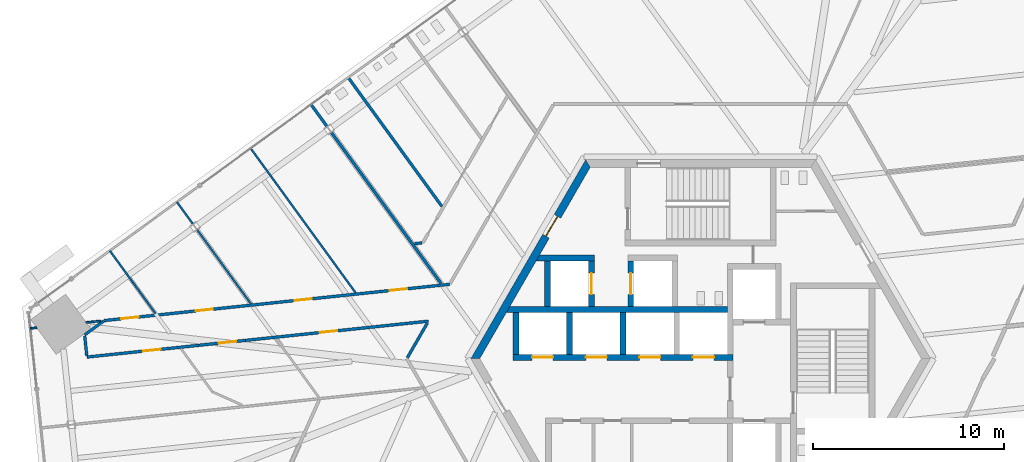
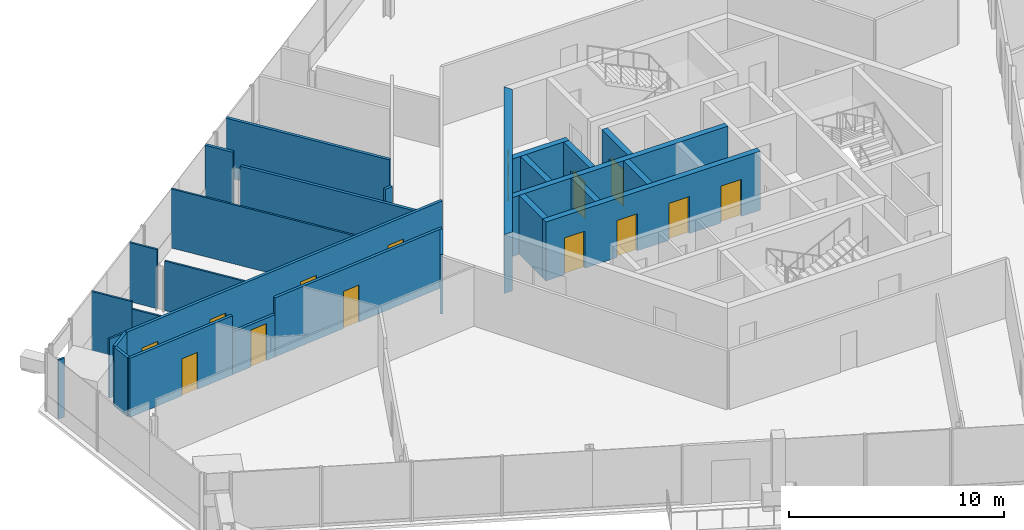
# One storey, part 19 of 25: 28 walls, 14 doors, 14 openings.
"""IFC4 building model written with IfcOpenShell, lengths in metres."""

from ifc_helpers import new_model, si_unit, direction, frame, frame_2d, origin, place, context, subcontext, project, spatial, polyline, rectangle, outline, extrude, source, transform, mapped, material, layer, layer_set, type_object, element, fill, save


model = new_model("IFC4")

# Units and contexts
model_context = context("Model", 3, precision=1e-05, world=origin(), true_north=direction((0.0, 1.0)))
body_context = subcontext(model_context, "Body", "Model", "MODEL_VIEW")
ifc_project = project(units=[si_unit("LENGTHUNIT", "METRE"), si_unit("AREAUNIT", "SQUARE_METRE"), si_unit("VOLUMEUNIT", "CUBIC_METRE"), si_unit("PLANEANGLEUNIT", "RADIAN"), si_unit("MASSUNIT", "GRAM", prefix="KILO")], contexts=[model_context])

# Site, building, storey
site_placement = place(None, origin())
site = spatial("IfcSite", under=ifc_project, at=site_placement, CompositionType="ELEMENT")
building_placement = place(site_placement, origin())
building = spatial("IfcBuilding", under=site, at=building_placement, Name="Triune Harvest Tower", CompositionType="ELEMENT")
storey_placement = place(building_placement, frame((0.0, 0.0, 90.89990234375)))
storey = spatial("IfcBuildingStorey", under=building, at=storey_placement, Name="L22", CompositionType="ELEMENT", Elevation=90.89990234375)

# Walls
ifc_material_1 = material(Name="Gypsum board on steel studs", Category="steel")
ifc_layer_1 = layer(ifc_material_1, 0.14990234375)
ifc_layer_set_1 = layer_set([ifc_layer_1], Name="Gypsum board on steel studs")
wall_type_1 = type_object("IfcWallType", Name="Fire Partition 150 mm", PredefinedType="PARTITIONING", material=ifc_layer_set_1)
wall_1_placement = place(storey_placement, frame((-32.1767578125, 1.18798828125, 0.0), z_axis=(0.0, 0.0, 1.0), x_axis=(0.104433875774, -0.994531832367, 0.0)))
element("IfcWall", 1, at=wall_1_placement, inside=storey, type_object=wall_type_1, Name="Partition L22 001", PredefinedType="PARTITIONING", context=body_context, shape_type="SweptSolid", body=[
    extrude(rectangle(XDim=1.063720703125, YDim=0.14990234375, at=frame_2d((0.53173828125, 0.0))), origin(), (0.0, 0.0, 1.0), 3.35009765625),
])
wall_2_placement = place(storey_placement, frame((-20.349365234375, 13.271484375, 0.0), z_axis=(0.0, 0.0, 1.0), x_axis=(0.587844221839, -0.808974147208, 0.0)))
element("IfcWall", 2, at=wall_2_placement, inside=storey, type_object=wall_type_1, Name="Partition L22 011", PredefinedType="PARTITIONING", context=body_context, shape_type="SweptSolid", body=[
    extrude(rectangle(XDim=1.418701171875, YDim=0.14990234375, at=frame_2d((0.70947265625, 0.0))), origin(), (0.0, 0.0, 1.0), 3.35009765625),
])
wall_3_placement = place(storey_placement, frame((-19.2958984375, 11.821533203125, 0.0), z_axis=(0.0, 0.0, 1.0), x_axis=(0.58779659538, -0.809008753018, 0.0)))
element("IfcWall", 3, at=wall_3_placement, inside=storey, type_object=wall_type_1, Name="Partition L22 012", PredefinedType="PARTITIONING", context=body_context, shape_type="SweptSolid", body=[
    extrude(rectangle(XDim=9.754150390625, YDim=0.14990234375, at=frame_2d((4.876953125, 0.0))), origin(), (0.0, 0.0, 1.0), 2.6669921875),
])
wall_4_placement = place(storey_placement, frame((-18.40771484375, 14.68212890625, 0.0), z_axis=(0.0, 0.0, 1.0), x_axis=(0.587777217716, -0.809022831775, 0.0)))
element("IfcWall", 4, at=wall_4_placement, inside=storey, type_object=wall_type_1, Name="Partition L22 013", PredefinedType="PARTITIONING", context=body_context, shape_type="SweptSolid", body=[
    extrude(rectangle(XDim=8.318115234375, YDim=0.14990234375, at=frame_2d((4.1591796875, 0.0))), origin(), (0.0, 0.0, 1.0), 3.35009765625),
])

# Wall, opening, door
wall_5_placement = place(storey_placement, frame((-32.060302734375, 0.080078125, 0.0), z_axis=(0.0, 0.0, 1.0), x_axis=(0.994518399544, 0.104561718461, 0.0)))
wall_5 = element("IfcWall", 5, at=wall_5_placement, inside=storey, type_object=wall_type_1, Name="Partition L22 028", PredefinedType="PARTITIONING", context=body_context, shape_type="SweptSolid", body=[
    extrude(rectangle(XDim=5.88623046875, YDim=0.14990234375, at=frame_2d((2.943115234375, 0.0))), origin(), (0.0, 0.0, 1.0), 3.35009765625),
])
opening_1_placement = place(wall_5_placement, frame((2.9658203125, 0.0, 0.0)))
opening_1 = element("IfcOpeningElement", 6, at=opening_1_placement, cuts=wall_5, Name="Opening L22-018", PredefinedType="OPENING", context=body_context, shape_type="SweptSolid", body=[
    extrude(rectangle(XDim=0.89990234375, YDim=2.10009765625, at=frame_2d((0.449951171875, 1.050048828125))), frame((0.0, 0.0849609375, 0.0), z_axis=(0.0, -1.0, 0.0), x_axis=(1.0, 0.0, 0.0)), (0.0, 0.0, 1.0), 0.169921875),
])
ifc_material_2 = material(Name="Timber and steel door set", Category="steel")
door_type_1 = type_object("IfcDoorType", Name="Single leaf door FD30 right hand 900 x 2100", OperationType="SINGLE_SWING_RIGHT", PredefinedType="DOOR", material=ifc_material_2)
door_1_placement = place(opening_1_placement, origin())
door_1 = element("IfcDoor", 7, at=door_1_placement, inside=storey, type_object=door_type_1, Name="Door L22-018 Meeting Room 22.18", OperationType="SINGLE_SWING_RIGHT", OverallHeight=2.10009765625, OverallWidth=0.89990234375, PredefinedType="DOOR", context=body_context, shape_type="SweptSolid", body=[
    extrude(rectangle(XDim=0.89990234375, YDim=2.10009765625, at=frame_2d((0.449951171875, 1.050048828125))), frame((0.0, 0.02490234375, 0.0), z_axis=(0.0, -1.0, 0.0), x_axis=(1.0, 0.0, 0.0)), (0.0, 0.0, 1.0), 0.050048828125),
])
fill(opening_1, door_1)

wall_6_placement = place(storey_placement, frame((-26.206298828125, 0.695556640625, 0.0), z_axis=(0.0, 0.0, 1.0), x_axis=(0.994520243756, 0.104544176112, 0.0)))
wall_6 = element("IfcWall", 8, at=wall_6_placement, inside=storey, type_object=wall_type_1, Name="Partition L22 028a", PredefinedType="PARTITIONING", context=body_context, shape_type="SweptSolid", body=[
    extrude(rectangle(XDim=2.4404296875, YDim=0.14990234375, at=frame_2d((1.22021484375, 0.0))), origin(), (0.0, 0.0, 1.0), 2.40771484375),
])
opening_2_placement = place(wall_6_placement, frame((1.053466796875, 0.0, 0.0)))
opening_2 = element("IfcOpeningElement", 9, at=opening_2_placement, cuts=wall_6, Name="Opening L22-017", PredefinedType="OPENING", context=body_context, shape_type="SweptSolid", body=[
    extrude(rectangle(XDim=0.89990234375, YDim=2.10009765625, at=frame_2d((0.449951171875, 1.050048828125))), frame((0.0, 0.0849609375, 0.0), z_axis=(0.0, -1.0, 0.0), x_axis=(1.0, 0.0, 0.0)), (0.0, 0.0, 1.0), 0.169921875),
])
door_2_placement = place(opening_2_placement, origin())
door_2 = element("IfcDoor", 10, at=door_2_placement, inside=storey, type_object=door_type_1, Name="Door L22-017 Office 22.17", OperationType="SINGLE_SWING_RIGHT", OverallHeight=2.10009765625, OverallWidth=0.89990234375, PredefinedType="DOOR", context=body_context, shape_type="SweptSolid", body=[
    extrude(rectangle(XDim=0.89990234375, YDim=2.10009765625, at=frame_2d((0.449951171875, 1.050048828125))), frame((0.0, 0.02490234375, 0.0), z_axis=(0.0, -1.0, 0.0), x_axis=(1.0, 0.0, 0.0)), (0.0, 0.0, 1.0), 0.050048828125),
])
fill(opening_2, door_2)

wall_7_placement = place(storey_placement, frame((-23.779296875, 0.95068359375, 0.0), z_axis=(0.0, 0.0, 1.0), x_axis=(0.994523391107, 0.104514231284, 0.0)))
wall_7 = element("IfcWall", 11, at=wall_7_placement, inside=storey, type_object=wall_type_1, Name="Partition L22 028b", PredefinedType="PARTITIONING", context=body_context, shape_type="SweptSolid", body=[
    extrude(rectangle(XDim=9.612548828125, YDim=0.14990234375, at=frame_2d((4.80615234375, 0.0))), origin(), (0.0, 0.0, 1.0), 3.35009765625),
])
opening_3_placement = place(wall_7_placement, frame((3.914306640625, 0.0, 0.0)))
opening_3 = element("IfcOpeningElement", 12, at=opening_3_placement, cuts=wall_7, Name="Opening L22-014", PredefinedType="OPENING", context=body_context, shape_type="SweptSolid", body=[
    extrude(rectangle(XDim=0.89990234375, YDim=2.10009765625, at=frame_2d((0.449951171875, 1.050048828125))), frame((0.0, 0.0849609375, 0.0), z_axis=(0.0, -1.0, 0.0), x_axis=(1.0, 0.0, 0.0)), (0.0, 0.0, 1.0), 0.169921875),
])
ifc_material_3 = material(Name="Timber and steel door set", Category="steel")
door_type_2 = type_object("IfcDoorType", Name="Single leaf door FD30 left hand 900 x 2100", OperationType="SINGLE_SWING_LEFT", PredefinedType="DOOR", material=ifc_material_3)
door_3_placement = place(opening_3_placement, origin())
door_3 = element("IfcDoor", 13, at=door_3_placement, inside=storey, type_object=door_type_2, Name="Door L22-014 Meeting Room 22.14", OperationType="SINGLE_SWING_LEFT", OverallHeight=2.10009765625, OverallWidth=0.89990234375, PredefinedType="DOOR", context=body_context, shape_type="SweptSolid", body=[
    extrude(rectangle(XDim=0.89990234375, YDim=2.10009765625, at=frame_2d((0.449951171875, 1.050048828125))), frame((0.0, 0.02490234375, 0.0), z_axis=(0.0, -1.0, 0.0), x_axis=(1.0, 0.0, 0.0)), (0.0, 0.0, 1.0), 0.050048828125),
])
fill(opening_3, door_3)

# Wall, openings, doors
wall_8_placement = place(storey_placement, frame((-31.152587890625, 1.986083984375, 0.0), z_axis=(0.0, 0.0, 1.0), x_axis=(0.99452269171, 0.104520886302, 0.0)))
wall_8 = element("IfcWall", 14, at=wall_8_placement, inside=storey, type_object=wall_type_1, Name="Partition L22 032", PredefinedType="PARTITIONING", context=body_context, shape_type="SweptSolid", body=[
    extrude(rectangle(XDim=18.14453125, YDim=0.14990234375, at=frame_2d((9.072265625, 0.0))), origin(), (0.0, 0.0, 1.0), 3.35009765625),
])
opening_4_placement = place(wall_8_placement, frame((10.0009765625, 0.0, 0.0)))
opening_4 = element("IfcOpeningElement", 15, at=opening_4_placement, cuts=wall_8, Name="Opening L22-012", PredefinedType="OPENING", context=body_context, shape_type="SweptSolid", body=[
    extrude(rectangle(XDim=0.89990234375, YDim=2.10009765625, at=frame_2d((0.449951171875, 1.050048828125))), frame((0.0, 0.0849609375, 0.0), z_axis=(0.0, -1.0, 0.0), x_axis=(1.0, 0.0, 0.0)), (0.0, 0.0, 1.0), 0.169921875),
])
opening_5_placement = place(wall_8_placement, frame((15.001953125, 0.0, 0.0)))
opening_5 = element("IfcOpeningElement", 16, at=opening_5_placement, cuts=wall_8, Name="Opening L22-013", PredefinedType="OPENING", context=body_context, shape_type="SweptSolid", body=[
    extrude(rectangle(XDim=0.89990234375, YDim=2.10009765625, at=frame_2d((0.449951171875, 1.050048828125))), frame((0.0, 0.0849609375, 0.0), z_axis=(0.0, -1.0, 0.0), x_axis=(1.0, 0.0, 0.0)), (0.0, 0.0, 1.0), 0.169921875),
])
opening_6_placement = place(wall_8_placement, frame((0.8984375, 0.0, 0.0)))
opening_6 = element("IfcOpeningElement", 17, at=opening_6_placement, cuts=wall_8, Name="Opening L22-015", PredefinedType="OPENING", context=body_context, shape_type="SweptSolid", body=[
    extrude(rectangle(XDim=0.89990234375, YDim=2.10009765625, at=frame_2d((0.449951171875, 1.050048828125))), frame((0.0, 0.0849609375, 0.0), z_axis=(0.0, -1.0, 0.0), x_axis=(1.0, 0.0, 0.0)), (0.0, 0.0, 1.0), 0.169921875),
])
opening_7_placement = place(wall_8_placement, frame((4.799560546875, 0.0, 0.0)))
opening_7 = element("IfcOpeningElement", 18, at=opening_7_placement, cuts=wall_8, Name="Opening L22-016", PredefinedType="OPENING", context=body_context, shape_type="SweptSolid", body=[
    extrude(rectangle(XDim=0.89990234375, YDim=2.10009765625, at=frame_2d((0.449951171875, 1.050048828125))), frame((0.0, 0.0849609375, 0.0), z_axis=(0.0, -1.0, 0.0), x_axis=(1.0, 0.0, 0.0)), (0.0, 0.0, 1.0), 0.169921875),
])
door_4_placement = place(opening_6_placement, origin())
door_4 = element("IfcDoor", 19, at=door_4_placement, inside=storey, type_object=door_type_2, Name="Door L22-015 Meeting Room 22.15", OperationType="SINGLE_SWING_LEFT", OverallHeight=2.10009765625, OverallWidth=0.89990234375, PredefinedType="DOOR", context=body_context, shape_type="SweptSolid", body=[
    extrude(rectangle(XDim=0.89990234375, YDim=2.10009765625, at=frame_2d((0.449951171875, 1.050048828125))), frame((0.0, 0.02490234375, 0.0), z_axis=(0.0, -1.0, 0.0), x_axis=(1.0, 0.0, 0.0)), (0.0, 0.0, 1.0), 0.050048828125),
])
fill(opening_6, door_4)
door_5_placement = place(opening_7_placement, origin())
door_5 = element("IfcDoor", 20, at=door_5_placement, inside=storey, type_object=door_type_2, Name="Door L22-016 Office 22.16", OperationType="SINGLE_SWING_LEFT", OverallHeight=2.10009765625, OverallWidth=0.89990234375, PredefinedType="DOOR", context=body_context, shape_type="SweptSolid", body=[
    extrude(rectangle(XDim=0.89990234375, YDim=2.10009765625, at=frame_2d((0.449951171875, 1.050048828125))), frame((0.0, 0.02490234375, 0.0), z_axis=(0.0, -1.0, 0.0), x_axis=(1.0, 0.0, 0.0)), (0.0, 0.0, 1.0), 0.050048828125),
])
fill(opening_7, door_5)
door_6_placement = place(opening_4_placement, origin())
door_6 = element("IfcDoor", 21, at=door_6_placement, inside=storey, type_object=door_type_1, Name="Door L22-012 Meeting Room 22.12", OperationType="SINGLE_SWING_RIGHT", OverallHeight=2.10009765625, OverallWidth=0.89990234375, PredefinedType="DOOR", context=body_context, shape_type="SweptSolid", body=[
    extrude(rectangle(XDim=0.89990234375, YDim=2.10009765625, at=frame_2d((0.449951171875, 1.050048828125))), frame((0.0, 0.02490234375, 0.0), z_axis=(0.0, -1.0, 0.0), x_axis=(1.0, 0.0, 0.0)), (0.0, 0.0, 1.0), 0.050048828125),
])
fill(opening_4, door_6)
door_7_placement = place(opening_5_placement, origin())
door_7 = element("IfcDoor", 22, at=door_7_placement, inside=storey, type_object=door_type_1, Name="Door L22-013 Office 22.13", OperationType="SINGLE_SWING_RIGHT", OverallHeight=2.10009765625, OverallWidth=0.89990234375, PredefinedType="DOOR", context=body_context, shape_type="SweptSolid", body=[
    extrude(rectangle(XDim=0.89990234375, YDim=2.10009765625, at=frame_2d((0.449951171875, 1.050048828125))), frame((0.0, 0.02490234375, 0.0), z_axis=(0.0, -1.0, 0.0), x_axis=(1.0, 0.0, 0.0)), (0.0, 0.0, 1.0), 0.050048828125),
])
fill(opening_5, door_7)

# Walls
wall_9_placement = place(storey_placement, frame((-14.949462890625, 6.001220703125, 0.0), z_axis=(0.0, 0.0, 1.0), x_axis=(0.994502096914, 0.104716661682, 0.0)))
element("IfcWall", 23, at=wall_9_placement, inside=storey, type_object=wall_type_1, Name="Partition L22 036", PredefinedType="PARTITIONING", context=body_context, shape_type="SweptSolid", body=[
    extrude(rectangle(XDim=0.398681640625, YDim=0.14990234375, at=frame_2d((0.19921875, 0.0))), origin(), (0.0, 0.0, 1.0), 3.35009765625),
])
wall_10_placement = place(storey_placement, frame((-32.181884765625, 1.23779296875, 0.0), z_axis=(0.0, 0.0, 1.0), x_axis=(0.808963673702, 0.587858634903, 0.0)))
element("IfcWall", 24, at=wall_10_placement, inside=storey, type_object=wall_type_1, Name="Partition L22 038", PredefinedType="PARTITIONING", context=body_context, shape_type="SweptSolid", body=[
    extrude(rectangle(XDim=1.252197265625, YDim=0.14990234375, at=frame_2d((0.6259765625, 0.0))), origin(), (0.0, 0.0, 1.0), 3.35009765625),
])
wall_11_placement = place(storey_placement, frame((-15.323486328125, 0.043212890625, 0.0), z_axis=(0.0, 0.0, 1.0), x_axis=(0.499911367677, 0.866076569633, 0.0)))
element("IfcWall", 25, at=wall_11_placement, inside=storey, type_object=wall_type_1, Name="Partition L22 040", PredefinedType="PARTITIONING", context=body_context, shape_type="SweptSolid", body=[
    extrude(rectangle(XDim=2.08837890625, YDim=0.14990234375, at=frame_2d((1.044189453125, 0.0))), origin(), (0.0, 0.0, 1.0), 3.35009765625),
])
ifc_material_4 = material(Name="Gypsum board on steel studs", Category="steel")
ifc_layer_2 = layer(ifc_material_4, 0.10009765625)
ifc_layer_set_2 = layer_set([ifc_layer_2], Name="Gypsum board on steel studs")
wall_type_2 = type_object("IfcWallType", Name="Partition 100 mm", PredefinedType="PARTITIONING", material=ifc_layer_set_2)
wall_12_placement = place(storey_placement, frame((-30.861083984375, 5.634521484375, 0.0), z_axis=(0.0, 0.0, 1.0), x_axis=(0.587691363758, -0.809085200065, 0.0)))
element("IfcWall", 26, at=wall_12_placement, inside=storey, type_object=wall_type_2, Name="Partition L22 005", PredefinedType="PARTITIONING", context=body_context, shape_type="SweptSolid", body=[
    extrude(rectangle(XDim=2.055419921875, YDim=0.10009765625, at=frame_2d((1.02783203125, 0.0))), origin(), (0.0, 0.0, 1.0), 3.35009765625),
])
wall_13_placement = place(storey_placement, frame((-29.653076171875, 3.971435546875, 0.0), z_axis=(0.0, 0.0, 1.0), x_axis=(0.587817575885, -0.808993508924, 0.0)))
element("IfcWall", 27, at=wall_13_placement, inside=storey, type_object=wall_type_2, Name="Partition L22 005a", PredefinedType="PARTITIONING", context=body_context, shape_type="SweptSolid", body=[
    extrude(rectangle(XDim=2.009033203125, YDim=0.10009765625, at=frame_2d((1.00439453125, 0.0))), origin(), (0.0, 0.0, 1.0), 2.93359375),
])
wall_14_placement = place(storey_placement, frame((-26.3037109375, 6.72998046875, 0.0), z_axis=(0.0, 0.0, 1.0), x_axis=(0.587761041965, -0.809034583654, 0.0)))
element("IfcWall", 28, at=wall_14_placement, inside=storey, type_object=wall_type_2, Name="Partition L22 008", PredefinedType="PARTITIONING", context=body_context, shape_type="SweptSolid", body=[
    extrude(rectangle(XDim=4.77294921875, YDim=0.10009765625, at=frame_2d((2.386474609375, 0.0))), origin(), (0.0, 0.0, 1.0), 2.814208984375),
])
wall_15_placement = place(storey_placement, frame((-23.502685546875, 10.980224609375, 0.0), z_axis=(0.0, 0.0, 1.0), x_axis=(0.587778942742, -0.809021578494, 0.0)))
element("IfcWall", 29, at=wall_15_placement, inside=storey, type_object=wall_type_2, Name="Partition L22 010", PredefinedType="PARTITIONING", context=body_context, shape_type="SweptSolid", body=[
    extrude(rectangle(XDim=9.315673828125, YDim=0.10009765625, at=frame_2d((4.65771484375, 0.0))), origin(), (0.0, 0.0, 1.0), 3.35009765625),
])
wall_16_placement = place(storey_placement, frame((-35.013427734375, 1.580322265625, 0.0), z_axis=(0.0, 0.0, 1.0), x_axis=(0.994470165016, 0.105019478633, 0.0)))
element("IfcWall", 30, at=wall_16_placement, inside=storey, type_object=wall_type_2, Name="Partition L22 030", PredefinedType="PARTITIONING", context=body_context, shape_type="SweptSolid", body=[
    extrude(rectangle(XDim=0.341796875, YDim=0.10009765625, at=frame_2d((0.1708984375, 0.0))), origin(), (0.0, 0.0, 1.0), 3.35009765625),
])
wall_17_placement = place(storey_placement, frame((-32.11279296875, 1.88525390625, 0.0), z_axis=(0.0, 0.0, 1.0), x_axis=(0.994524466312, 0.104503999476, 0.0)))
element("IfcWall", 31, at=wall_17_placement, inside=storey, type_object=wall_type_2, Name="Partition L22 031", PredefinedType="PARTITIONING", context=body_context, shape_type="SweptSolid", body=[
    extrude(rectangle(XDim=0.773193359375, YDim=0.10009765625, at=frame_2d((0.38671875, 0.0))), origin(), (0.0, 0.0, 1.0), 3.35009765625),
])

# Wall, opening, door
ifc_material_5 = material(Name="Concrete 70 MPa", Category="concrete")
ifc_layer_3 = layer(ifc_material_5, 0.39990234375)
ifc_layer_set_3 = layer_set([ifc_layer_3], Name="Concrete 70 MPa")
wall_type_3 = type_object("IfcWallType", Name="Core wall 400", PredefinedType="SHEAR", material=ifc_layer_set_3)
shared_shape_1 = source(origin(), body_context, "Body", "SweptSolid", [
    extrude(outline(polyline([(-0.115478515625, -0.199951171875), (11.884521484375, -0.199951171875), (11.653564453125, 0.199951171875), (0.115478515625, 0.199951171875), (-0.115478515625, -0.199951171875)])), origin(), (0.0, 0.0, 1.0), 3.35009765625),
])
wall_18_placement = place(storey_placement, frame((-5.884521484375, 10.1923828125, 0.0), z_axis=(0.0, 0.0, 1.0), x_axis=(-0.499996592174, -0.866027371285, 0.0)))
wall_18 = element("IfcWall", 32, at=wall_18_placement, inside=storey, type_object=wall_type_3, Name="Hexagon 2 wall", PredefinedType="SHEAR", context=body_context, shape_type="MappedRepresentation", body=[
    mapped(shared_shape_1, transform((0.0, 0.0, 0.0), scale=1.0)),
])
opening_8_placement = place(wall_18_placement, frame((3.1845703125, 0.0, 0.0)))
opening_8 = element("IfcOpeningElement", 33, at=opening_8_placement, cuts=wall_18, Name="Opening CD-SVP", PredefinedType="OPENING", context=body_context, shape_type="SweptSolid", body=[
    extrude(rectangle(XDim=1.199951171875, YDim=2.10009765625, at=frame_2d((0.60009765625, 1.050048828125))), frame((0.0, 0.2099609375, 0.0), z_axis=(0.0, -1.0, 0.0), x_axis=(1.0, 0.0, 0.0)), (0.0, 0.0, 1.0), 0.419921875),
])
ifc_material_6 = material(Name="Steel S235", Category="steel")
door_type_3 = type_object("IfcDoorType", Name="Service door 1200 FD120", OperationType="SINGLE_SWING_LEFT", PredefinedType="DOOR", material=ifc_material_6)
door_8_placement = place(opening_8_placement, frame((1.199951171875, 0.0, 0.0), z_axis=(0.0, 0.0, 1.0), x_axis=(-1.0, 0.0, 0.0)))
door_8 = element("IfcDoor", 34, at=door_8_placement, inside=storey, type_object=door_type_3, Name="Door CD-SVP", OperationType="SINGLE_SWING_RIGHT", OverallHeight=2.10009765625, OverallWidth=1.199951171875, PredefinedType="DOOR", context=body_context, shape_type="SweptSolid", body=[
    extrude(rectangle(XDim=1.199951171875, YDim=2.10009765625, at=frame_2d((0.60009765625, 1.050048828125))), frame((0.0, 0.02490234375, 0.0), z_axis=(0.0, -1.0, 0.0), x_axis=(1.0, 0.0, 0.0)), (0.0, 0.0, 1.0), 0.050048828125),
])
fill(opening_8, door_8)

# Wall, openings, doors
ifc_material_7 = material(Name="Concrete 70 MPa", Category="concrete")
ifc_layer_4 = layer(ifc_material_7, 0.300048828125)
ifc_layer_set_4 = layer_set([ifc_layer_4], Name="Concrete 70 MPa")
wall_type_4 = type_object("IfcWallType", Name="Core wall 300", PredefinedType="SHEAR", material=ifc_layer_set_4)
shared_shape_2 = source(origin(), body_context, "Body", "SweptSolid", [
    extrude(rectangle(XDim=11.5, YDim=0.300048828125, at=frame_2d((5.75, 0.0))), origin(), (0.0, 0.0, 1.0), 3.35009765625),
])
wall_19_placement = place(storey_placement, frame((-9.800048828125, 0.06005859375, 0.0), z_axis=(0.0, 0.0, 1.0), x_axis=(1.0, 0.0, 0.0)))
wall_19 = element("IfcWall", 35, at=wall_19_placement, inside=storey, type_object=wall_type_4, Name="North front wall", PredefinedType="SHEAR", context=body_context, shape_type="MappedRepresentation", body=[
    mapped(shared_shape_2, transform((0.0, 0.0, 0.0), scale=1.0)),
])
opening_9_placement = place(wall_19_placement, frame((1.0, 0.0, 0.0)))
opening_9 = element("IfcOpeningElement", 36, at=opening_9_placement, cuts=wall_19, Name="Opening LD-LR1-22", PredefinedType="OPENING", context=body_context, shape_type="SweptSolid", body=[
    extrude(rectangle(XDim=1.10009765625, YDim=2.10009765625, at=frame_2d((0.550048828125, 1.050048828125))), frame((0.0, 0.16015625, 0.0), z_axis=(0.0, -1.0, 0.0), x_axis=(1.0, 0.0, 0.0)), (0.0, 0.0, 1.0), 0.320068359375),
])
opening_10_placement = place(wall_19_placement, frame((3.800048828125, 0.0, 0.0)))
opening_10 = element("IfcOpeningElement", 37, at=opening_10_placement, cuts=wall_19, Name="Opening LD-LR2-22", PredefinedType="OPENING", context=body_context, shape_type="SweptSolid", body=[
    extrude(rectangle(XDim=1.10009765625, YDim=2.10009765625, at=frame_2d((0.550048828125, 1.050048828125))), frame((0.0, 0.16015625, 0.0), z_axis=(0.0, -1.0, 0.0), x_axis=(1.0, 0.0, 0.0)), (0.0, 0.0, 1.0), 0.320068359375),
])
opening_11_placement = place(wall_19_placement, frame((6.60009765625, 0.0, 0.0)))
opening_11 = element("IfcOpeningElement", 38, at=opening_11_placement, cuts=wall_19, Name="Opening LD-LR3-22", PredefinedType="OPENING", context=body_context, shape_type="SweptSolid", body=[
    extrude(rectangle(XDim=1.10009765625, YDim=2.10009765625, at=frame_2d((0.550048828125, 1.050048828125))), frame((0.0, 0.16015625, 0.0), z_axis=(0.0, -1.0, 0.0), x_axis=(1.0, 0.0, 0.0)), (0.0, 0.0, 1.0), 0.320068359375),
])
opening_12_placement = place(wall_19_placement, frame((9.39990234375, 0.0, 0.0)))
opening_12 = element("IfcOpeningElement", 39, at=opening_12_placement, cuts=wall_19, Name="Opening LD-LR4-22", PredefinedType="OPENING", context=body_context, shape_type="SweptSolid", body=[
    extrude(rectangle(XDim=1.10009765625, YDim=2.10009765625, at=frame_2d((0.550048828125, 1.050048828125))), frame((0.0, 0.16015625, 0.0), z_axis=(0.0, -1.0, 0.0), x_axis=(1.0, 0.0, 0.0)), (0.0, 0.0, 1.0), 0.320068359375),
])
ifc_material_8 = material(Name="Stainless steel AISI 304", Category="steel")
door_type_4 = type_object("IfcDoorType", Name="Landing door 1100 x 2100", OperationType="DOUBLE_DOOR_SLIDING", PredefinedType="DOOR", material=ifc_material_8)
door_9_placement = place(opening_9_placement, origin())
door_9 = element("IfcDoor", 40, at=door_9_placement, inside=storey, type_object=door_type_4, Name="Door LD-LR1-22", OperationType="DOUBLE_DOOR_SLIDING", OverallHeight=2.10009765625, OverallWidth=1.10009765625, PredefinedType="DOOR", context=body_context, shape_type="SweptSolid", body=[
    extrude(rectangle(XDim=1.10009765625, YDim=2.10009765625, at=frame_2d((0.550048828125, 1.050048828125))), frame((0.0, 0.02490234375, 0.0), z_axis=(0.0, -1.0, 0.0), x_axis=(1.0, 0.0, 0.0)), (0.0, 0.0, 1.0), 0.050048828125),
])
fill(opening_9, door_9)
door_10_placement = place(opening_10_placement, origin())
door_10 = element("IfcDoor", 41, at=door_10_placement, inside=storey, type_object=door_type_4, Name="Door LD-LR2-22", OperationType="DOUBLE_DOOR_SLIDING", OverallHeight=2.10009765625, OverallWidth=1.10009765625, PredefinedType="DOOR", context=body_context, shape_type="SweptSolid", body=[
    extrude(rectangle(XDim=1.10009765625, YDim=2.10009765625, at=frame_2d((0.550048828125, 1.050048828125))), frame((0.0, 0.02490234375, 0.0), z_axis=(0.0, -1.0, 0.0), x_axis=(1.0, 0.0, 0.0)), (0.0, 0.0, 1.0), 0.050048828125),
])
fill(opening_10, door_10)
door_11_placement = place(opening_11_placement, origin())
door_11 = element("IfcDoor", 42, at=door_11_placement, inside=storey, type_object=door_type_4, Name="Door LD-LR3-22", OperationType="DOUBLE_DOOR_SLIDING", OverallHeight=2.10009765625, OverallWidth=1.10009765625, PredefinedType="DOOR", context=body_context, shape_type="SweptSolid", body=[
    extrude(rectangle(XDim=1.10009765625, YDim=2.10009765625, at=frame_2d((0.550048828125, 1.050048828125))), frame((0.0, 0.02490234375, 0.0), z_axis=(0.0, -1.0, 0.0), x_axis=(1.0, 0.0, 0.0)), (0.0, 0.0, 1.0), 0.050048828125),
])
fill(opening_11, door_11)
door_12_placement = place(opening_12_placement, origin())
door_12 = element("IfcDoor", 43, at=door_12_placement, inside=storey, type_object=door_type_4, Name="Door LD-LR4-22", OperationType="DOUBLE_DOOR_SLIDING", OverallHeight=2.10009765625, OverallWidth=1.10009765625, PredefinedType="DOOR", context=body_context, shape_type="SweptSolid", body=[
    extrude(rectangle(XDim=1.10009765625, YDim=2.10009765625, at=frame_2d((0.550048828125, 1.050048828125))), frame((0.0, 0.02490234375, 0.0), z_axis=(0.0, -1.0, 0.0), x_axis=(1.0, 0.0, 0.0)), (0.0, 0.0, 1.0), 0.050048828125),
])
fill(opening_12, door_12)

# Walls
shared_shape_3 = source(origin(), body_context, "Body", "SweptSolid", [
    extrude(outline(polyline([(11.199951171875, -0.14990234375), (-0.34912109375, -0.14990234375), (-0.17578125, 0.14990234375), (11.199951171875, 0.14990234375), (11.199951171875, -0.14990234375)])), origin(), (0.0, 0.0, 1.0), 3.35009765625),
])
wall_20_placement = place(storey_placement, frame((-9.800048828125, 2.56005859375, 0.0), z_axis=(0.0, 0.0, 1.0), x_axis=(1.0, 0.0, 0.0)))
element("IfcWall", 44, at=wall_20_placement, inside=storey, type_object=wall_type_4, Name="North back wall", PredefinedType="SHEAR", context=body_context, shape_type="MappedRepresentation", body=[
    mapped(shared_shape_3, transform((0.0, 0.0, 0.0), scale=1.0)),
])
shared_shape_4 = source(origin(), body_context, "Body", "SweptSolid", [
    extrude(rectangle(XDim=2.199951171875, YDim=0.300048828125, at=frame_2d((1.10009765625, 0.0))), origin(), (0.0, 0.0, 1.0), 3.35009765625),
])
for number, where, z_axis, x_axis, name in (
    (45, (-9.64990234375, 0.2099609375, 0.0), (0.0, 0.0, 1.0), (0.0, 1.0, 0.0), "North end west wall"),
    (46, (-6.85009765625, 0.2099609375, 0.0), (0.0, 0.0, 1.0), (0.0, 1.0, 0.0), "North cross 1 wall"),
    (47, (-4.050048828125, 0.2099609375, 0.0), (0.0, 0.0, 1.0), (0.0, 1.0, 0.0), "North cross 2 wall"),
):
    element("IfcWall", number, at=place(storey_placement, frame(where, z_axis=z_axis, x_axis=x_axis)), inside=storey, type_object=wall_type_4, Name=name, PredefinedType="SHEAR", context=body_context, shape_type="MappedRepresentation", body=[
        mapped(shared_shape_4, transform((0.0, 0.0, 0.0), scale=1.0)),
    ])
shared_shape_5 = source(origin(), body_context, "Body", "SweptSolid", [
    extrude(outline(polyline([(2.60009765625, -0.14990234375), (-0.440185546875, -0.14990234375), (-0.26708984375, 0.14990234375), (2.60009765625, 0.14990234375), (2.60009765625, -0.14990234375)])), origin(), (0.0, 0.0, 1.0), 3.35009765625),
])
wall_21_placement = place(storey_placement, frame((-8.14990234375, 5.260009765625, 0.0), z_axis=(0.0, 0.0, 1.0), x_axis=(1.0, 0.0, 0.0)))
element("IfcWall", 48, at=wall_21_placement, inside=storey, type_object=wall_type_4, Name="Sv1 north wall", PredefinedType="SHEAR", context=body_context, shape_type="MappedRepresentation", body=[
    mapped(shared_shape_5, transform((0.0, 0.0, 0.0), scale=1.0)),
])
shared_shape_6 = source(origin(), body_context, "Body", "SweptSolid", [
    extrude(rectangle(XDim=2.400146484375, YDim=0.300048828125, at=frame_2d((1.2001953125, 0.0))), origin(), (0.0, 0.0, 1.0), 3.35009765625),
])
wall_22_placement = place(storey_placement, frame((-8.0, 2.7099609375, 0.0), z_axis=(0.0, 0.0, 1.0), x_axis=(0.0, 1.0, 0.0)))
element("IfcWall", 49, at=wall_22_placement, inside=storey, type_object=wall_type_4, Name="Sv1 west wall", PredefinedType="SHEAR", context=body_context, shape_type="MappedRepresentation", body=[
    mapped(shared_shape_6, transform((0.0, 0.0, 0.0), scale=1.0)),
])

# Wall, opening, door
wall_23_placement = place(storey_placement, frame((-5.699951171875, 2.7099609375, 0.0), z_axis=(0.0, 0.0, 1.0), x_axis=(0.0, 1.0, 0.0)))
wall_23 = element("IfcWall", 50, at=wall_23_placement, inside=storey, type_object=wall_type_4, Name="Sv1 east wall", PredefinedType="SHEAR", context=body_context, shape_type="MappedRepresentation", body=[
    mapped(shared_shape_6, transform((0.0, 0.0, 0.0), scale=1.0)),
])
opening_13_placement = place(wall_23_placement, frame((0.64990234375, 0.0, 0.0)))
opening_13 = element("IfcOpeningElement", 51, at=opening_13_placement, cuts=wall_23, Name="Opening LD-SV1-22", PredefinedType="OPENING", context=body_context, shape_type="SweptSolid", body=[
    extrude(rectangle(XDim=1.10009765625, YDim=2.10009765625, at=frame_2d((0.550048828125, 1.050048828125))), frame((0.0, 0.16015625, 0.0), z_axis=(0.0, -1.0, 0.0), x_axis=(1.0, 0.0, 0.0)), (0.0, 0.0, 1.0), 0.320068359375),
])
door_13_placement = place(opening_13_placement, origin())
door_13 = element("IfcDoor", 52, at=door_13_placement, inside=storey, type_object=door_type_4, Name="Door LD-SV1-22", OperationType="DOUBLE_DOOR_SLIDING", OverallHeight=2.10009765625, OverallWidth=1.10009765625, PredefinedType="DOOR", context=body_context, shape_type="SweptSolid", body=[
    extrude(rectangle(XDim=1.10009765625, YDim=2.10009765625, at=frame_2d((0.550048828125, 1.050048828125))), frame((0.0, 0.02490234375, 0.0), z_axis=(0.0, -1.0, 0.0), x_axis=(1.0, 0.0, 0.0)), (0.0, 0.0, 1.0), 0.050048828125),
])
fill(opening_13, door_13)

wall_24_placement = place(storey_placement, frame((-3.64990234375, 2.7099609375, 0.0), z_axis=(0.0, 0.0, 1.0), x_axis=(0.0, 1.0, 0.0)))
wall_24 = element("IfcWall", 53, at=wall_24_placement, inside=storey, type_object=wall_type_4, Name="Sv2 west wall", PredefinedType="SHEAR", context=body_context, shape_type="MappedRepresentation", body=[
    mapped(shared_shape_6, transform((0.0, 0.0, 0.0), scale=1.0)),
])
opening_14_placement = place(wall_24_placement, frame((0.64990234375, 0.0, 0.0)))
opening_14 = element("IfcOpeningElement", 54, at=opening_14_placement, cuts=wall_24, Name="Opening LD-SV2-22", PredefinedType="OPENING", context=body_context, shape_type="SweptSolid", body=[
    extrude(rectangle(XDim=1.10009765625, YDim=2.10009765625, at=frame_2d((0.550048828125, 1.050048828125))), frame((0.0, 0.16015625, 0.0), z_axis=(0.0, -1.0, 0.0), x_axis=(1.0, 0.0, 0.0)), (0.0, 0.0, 1.0), 0.320068359375),
])
door_14_placement = place(opening_14_placement, origin())
door_14 = element("IfcDoor", 55, at=door_14_placement, inside=storey, type_object=door_type_4, Name="Door LD-SV2-22", OperationType="DOUBLE_DOOR_SLIDING", OverallHeight=2.10009765625, OverallWidth=1.10009765625, PredefinedType="DOOR", context=body_context, shape_type="SweptSolid", body=[
    extrude(rectangle(XDim=1.10009765625, YDim=2.10009765625, at=frame_2d((0.550048828125, 1.050048828125))), frame((0.0, 0.02490234375, 0.0), z_axis=(0.0, -1.0, 0.0), x_axis=(1.0, 0.0, 0.0)), (0.0, 0.0, 1.0), 0.050048828125),
])
fill(opening_14, door_14)

# Wall
shared_shape_7 = source(origin(), body_context, "Body", "SweptSolid", [
    extrude(rectangle(XDim=1.41845703125, YDim=0.10009765625, at=frame_2d((0.709228515625, 0.0))), origin(), (0.0, 0.0, 1.0), 3.35009765625),
])
wall_25_placement = place(storey_placement, frame((-27.357177734375, 8.1796875, 0.0), z_axis=(0.0, 0.0, 1.0), x_axis=(0.587813429905, -0.808996521392, 0.0)))
element("IfcWall", 56, at=wall_25_placement, inside=storey, type_object=wall_type_2, Name="Partition L22 007", PredefinedType="PARTITIONING", context=body_context, shape_type="MappedRepresentation", body=[
    mapped(shared_shape_7, transform((0.0, 0.0, 0.0), scale=1.0)),
])

save(model, "model.ifc")
